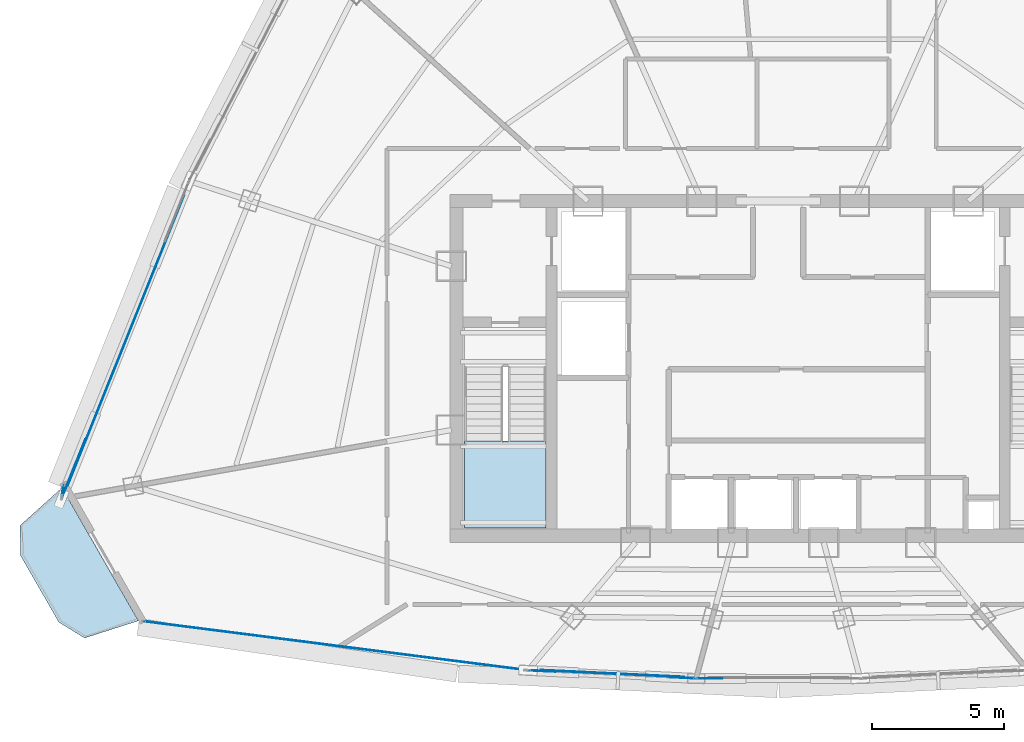
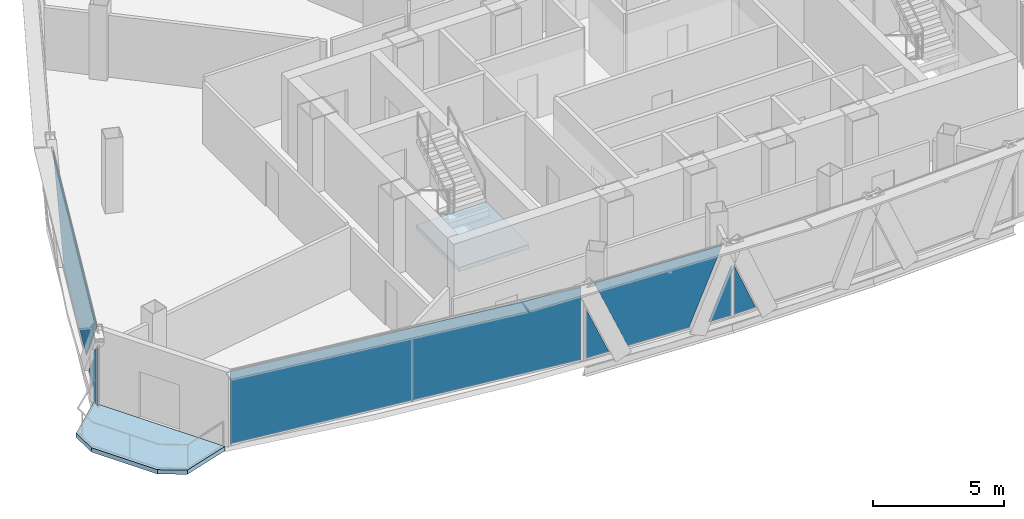
# One storey, part 22 of 30: 8 plates, 2 slabs, 6 elements without a shape of their own.
"""IFC4 building model written with IfcOpenShell, lengths in metres."""

from ifc_helpers import new_model, si_unit, direction, frame, origin, origin_2d, place, context, subcontext, project, spatial, polyline, rectangle, outline, extrude, source, transform, mapped, material, layer, layer_set, type_object, element, aggregate, save


model = new_model("IFC4")

# Units and contexts
model_context = context("Model", 3, precision=1e-05, world=origin(), true_north=direction((0.0, 1.0)))
body_context = subcontext(model_context, "Body", "Model", "MODEL_VIEW")
ifc_project = project(units=[si_unit("LENGTHUNIT", "METRE"), si_unit("AREAUNIT", "SQUARE_METRE"), si_unit("VOLUMEUNIT", "CUBIC_METRE"), si_unit("PLANEANGLEUNIT", "RADIAN"), si_unit("MASSUNIT", "GRAM", prefix="KILO"), si_unit("THERMODYNAMICTEMPERATUREUNIT", "KELVIN"), si_unit("POWERUNIT", "WATT")], contexts=[model_context])

# Site, building, storey
site_placement = place(None, origin())
site = spatial("IfcSite", under=ifc_project, at=site_placement, CompositionType="ELEMENT")
building_placement = place(site_placement, origin())
building = spatial("IfcBuilding", under=site, at=building_placement, Name="Yunzhuo Pagoda Commons", CompositionType="ELEMENT")
storey_placement = place(building_placement, frame((0.0, 0.0, 348.010009765625)))
storey = spatial("IfcBuildingStorey", under=building, at=storey_placement, Name="L87", CompositionType="ELEMENT", Elevation=348.010009765625)

# Curtain wall, plates
ifc_material_1 = material(Name="Anodized aluminium 6063-T6", Category="aluminium")
ifc_layer_1 = layer(ifc_material_1, 0.139892578125)
ifc_layer_set_1 = layer_set([ifc_layer_1], Name="Anodized aluminium 6063-T6")
curtain_wall_type = type_object("IfcCurtainWallType", Name="CW-HI High-Zone Ribbon Curtain Wall", PredefinedType="NOTDEFINED", material=ifc_layer_set_1)
curtain_wall_1_placement = place(storey_placement, origin())
curtain_wall_1 = element("IfcCurtainWall", 1, at=curtain_wall_1_placement, inside=storey, type_object=curtain_wall_type, Name="L87 curtain wall CW-L87-F1B2", PredefinedType="NOTDEFINED")
ifc_material_2 = material(Name="Tempered low-e double glazing", Category="glass")
ifc_layer_2 = layer(ifc_material_2, 0.02587890625)
ifc_layer_set_2 = layer_set([ifc_layer_2], Name="Tempered low-e double glazing")
plate_type = type_object("IfcPlateType", Name="CW-HI-P Low-E Double Glazing 26", PredefinedType="CURTAIN_PANEL", material=ifc_layer_set_2)
plate_1_placement = place(storey_placement, frame((39.06689453125, 22.380615234375, 1.216796875), z_axis=(-0.047859147719, -0.99885409444, 0.0), x_axis=(0.99885409444, -0.047859147719, 0.0)))
plate_1 = element("IfcPlate", 2, at=plate_1_placement, type_object=plate_type, Name="CW panel 1.1 lite 1", PredefinedType="CURTAIN_PANEL", context=body_context, shape_type="SweptSolid", body=[
    extrude(outline(polyline([(-0.494384765625, -1.161865234375), (0.494384765625, -1.161865234375), (-0.494384765625, 1.161865234375), (-0.494384765625, -1.161865234375)])), origin(), (0.0, 0.0, 1.0), 0.028076171875),
])
plate_2_placement = place(storey_placement, frame((41.70263671875, 22.284423828125, 1.744873046875), z_axis=(-0.047859147719, -0.99885409444, 0.0), x_axis=(0.99885409444, -0.047859147719, 0.0)))
plate_2 = element("IfcPlate", 3, at=plate_2_placement, type_object=plate_type, Name="CW panel 1.1 lite 2", PredefinedType="CURTAIN_PANEL", context=body_context, shape_type="SweptSolid", body=[
    extrude(outline(polyline([(-2.75537109375, 1.68994140625), (-1.31689453125, -1.68994140625), (1.31689453125, -1.68994140625), (2.75537109375, 1.68994140625), (-2.75537109375, 1.68994140625)])), origin(), (0.0, 0.0, 1.0), 0.028076171875),
])
plate_3_placement = place(storey_placement, frame((44.33544921875, 22.128173828125, 1.216796875), z_axis=(-0.047859147719, -0.99885409444, 0.0), x_axis=(0.99885409444, -0.047859147719, 0.0)))
plate_3 = element("IfcPlate", 4, at=plate_3_placement, type_object=plate_type, Name="CW panel 1.1 lite 3", PredefinedType="CURTAIN_PANEL", context=body_context, shape_type="SweptSolid", body=[
    extrude(outline(polyline([(-0.494384765625, -1.161865234375), (0.494384765625, -1.161865234375), (0.494384765625, 1.161865234375), (-0.494384765625, -1.161865234375)])), origin(), (0.0, 0.0, 1.0), 0.028076171875),
])
aggregate(curtain_wall_1, [plate_1, plate_2, plate_3])

# Curtain wall, plate
curtain_wall_2_placement = place(storey_placement, origin())
curtain_wall_2 = element("IfcCurtainWall", 5, at=curtain_wall_2_placement, inside=storey, type_object=curtain_wall_type, Name="L87 curtain wall CW-L87-F1B3", PredefinedType="NOTDEFINED")
plate_4_placement = place(storey_placement, frame((45.42529296875, 22.1015625, 1.204345703125), z_axis=(0.0, -1.0, 0.0), x_axis=(1.0, 0.0, 0.0)))
plate_4 = element("IfcPlate", 6, at=plate_4_placement, type_object=plate_type, Name="CW panel 1.1 lite 1", PredefinedType="CURTAIN_PANEL", context=body_context, shape_type="SweptSolid", body=[
    extrude(outline(polyline([(-0.476806640625, -1.1494140625), (0.476806640625, -1.1494140625), (-0.476806640625, 1.1494140625), (-0.476806640625, -1.1494140625)])), origin(), (0.0, 0.0, 1.0), 0.028076171875),
])
aggregate(curtain_wall_2, [plate_4])

# Curtain wall, plates
curtain_wall_3_placement = place(storey_placement, origin())
curtain_wall_3 = element("IfcCurtainWall", 7, at=curtain_wall_3_placement, inside=storey, type_object=curtain_wall_type, Name="L87 curtain wall CW-L87-F3B4", PredefinedType="NOTDEFINED")
plate_5_placement = place(storey_placement, frame((23.26708984375, 34.91796875, 1.744873046875), z_axis=(-0.92803921175, 0.372482511608, 0.0), x_axis=(-0.372482511608, -0.92803921175, 0.0)))
plate_5 = element("IfcPlate", 8, at=plate_5_placement, type_object=plate_type, Name="CW panel 1.1 lite 2", PredefinedType="CURTAIN_PANEL", context=body_context, shape_type="SweptSolid", body=[
    extrude(outline(polyline([(-5.9462890625, 1.68994140625), (-3.018310546875, -1.68994140625), (3.018310546875, -1.68994140625), (5.9462890625, 1.68994140625), (-5.9462890625, 1.68994140625)])), origin(), (0.0, 0.0, 1.0), 0.028076171875),
])
plate_6_placement = place(storey_placement, frame((21.291259765625, 30.0751953125, 1.44775390625), z_axis=(-0.92803921175, 0.372482511608, 0.0), x_axis=(-0.372482511608, -0.92803921175, 0.0)))
plate_6 = element("IfcPlate", 9, at=plate_6_placement, type_object=plate_type, Name="CW panel 1.1 lite 3", PredefinedType="CURTAIN_PANEL", context=body_context, shape_type="SweptSolid", body=[
    extrude(outline(polyline([(-1.206298828125, -1.392578125), (1.206298828125, -1.392578125), (1.206298828125, 1.392578125), (-1.206298828125, -1.392578125)])), origin(), (0.0, 0.0, 1.0), 0.028076171875),
])
aggregate(curtain_wall_3, [plate_5, plate_6])

# Curtain wall, plate
curtain_wall_4_placement = place(storey_placement, origin())
curtain_wall_4 = element("IfcCurtainWall", 10, at=curtain_wall_4_placement, inside=storey, type_object=curtain_wall_type, Name="L87 curtain wall CW-L87-F3B5", PredefinedType="NOTDEFINED")
plate_7_placement = place(storey_placement, frame((20.841552734375, 29.228515625, 1.397705078125), z_axis=(0.988629179637, -0.150374017607, 0.0), x_axis=(0.150374017607, 0.988629179637, 0.0)))
plate_7 = element("IfcPlate", 11, at=plate_7_placement, type_object=plate_type, Name="CW panel 1.1 lite 1", PredefinedType="CURTAIN_PANEL", context=body_context, shape_type="SweptSolid", body=[
    extrude(outline(polyline([(-0.18994140625, -1.3427734375), (0.18994140625, -1.3427734375), (0.18994140625, 0.89208984375), (-0.18994140625, 1.3427734375), (-0.18994140625, -1.3427734375)])), origin(), (0.0, 0.0, 1.0), 0.028076171875),
])
aggregate(curtain_wall_4, [plate_7])

# Slab
ifc_material_3 = material(Name="Concrete C40", Category="concrete")
ifc_layer_3 = layer(ifc_material_3, 0.199951171875)
ifc_layer_set_3 = layer_set([ifc_layer_3], Name="Concrete C40")
slab_type_1 = type_object("IfcSlabType", Name="SL-BAL Vertex Balcony Deck Slab 200", PredefinedType="FLOOR", material=ifc_layer_set_3)
slab_1_placement = place(storey_placement, frame((0.0, 0.0, -0.199951171875)))
element("IfcSlab", 12, at=slab_1_placement, inside=storey, type_object=slab_type_1, Name="L87 corner balcony V1", PredefinedType="FLOOR", context=body_context, shape_type="SweptSolid", body=[
    extrude(outline(polyline([(20.8232421875, 29.323974609375), (23.722412109375, 24.274658203125), (21.681640625, 23.62158203125), (20.703857421875, 24.219970703125), (19.25439453125, 26.74462890625), (19.23046875, 27.890625), (20.8232421875, 29.323974609375)])), origin(), (0.0, 0.0, 1.0), 0.199951171875),
])

# Stair, slab
stair_type = type_object("IfcStairType", Name="ST-C1 Core Smokeproof Stair ST1", PredefinedType="HALF_TURN_STAIR", material=ifc_material_3)
stair_placement = place(storey_placement, origin())
stair = element("IfcStair", 13, at=stair_placement, inside=storey, type_object=stair_type, Name="L87 Core smokeproof stair ST1", PredefinedType="HALF_TURN_STAIR")
ifc_layer_4 = layer(ifc_material_3, 0.199951171875)
ifc_layer_set_4 = layer_set([ifc_layer_4], Name="Concrete C40")
slab_type_2 = type_object("IfcSlabType", Name="SL-LND1 Stair Landing Slab 200", PredefinedType="LANDING", material=ifc_layer_set_4)
slab_2_placement = place(storey_placement, frame((0.0, 0.0, 1.675048828125)))
slab_2 = element("IfcSlab", 14, at=slab_2_placement, type_object=slab_type_2, Name="ST1 landing 1", PredefinedType="LANDING", context=body_context, shape_type="SweptSolid", body=[
    extrude(outline(polyline([(36.10009765625, 31.10009765625), (36.10009765625, 27.800048828125), (39.199951171875, 27.800048828125), (39.199951171875, 31.10009765625), (36.10009765625, 31.10009765625)])), origin(), (0.0, 0.0, 1.0), 0.199951171875),
])
aggregate(stair, [slab_2])

# Curtain wall, plate
curtain_wall_5_placement = place(storey_placement, origin())
curtain_wall_5 = element("IfcCurtainWall", 15, at=curtain_wall_5_placement, inside=storey, type_object=curtain_wall_type, Name="L87 curtain wall CW-L87-F1B1", PredefinedType="NOTDEFINED")
shared_shape = source(origin(), body_context, "Body", "SweptSolid", [
    extrude(rectangle(XDim=14.54931640625, YDim=0.028076171875, at=origin_2d()), origin(), (0.0, 0.0, 1.0), 3.3798828125),
])
plate_8_placement = place(storey_placement, frame((31.162353515625, 23.3310546875, 0.054931640625), z_axis=(0.0, 0.0, 1.0), x_axis=(0.991957593696, -0.126570661327, 0.0)))
plate_8 = element("IfcPlate", 16, at=plate_8_placement, type_object=plate_type, Name="CW panel 1.1", PredefinedType="CURTAIN_PANEL", context=body_context, shape_type="MappedRepresentation", body=[
    mapped(shared_shape, transform((0.0, 0.0, 0.0), scale=1.0)),
])
aggregate(curtain_wall_5, [plate_8])

save(model, "model.ifc")
